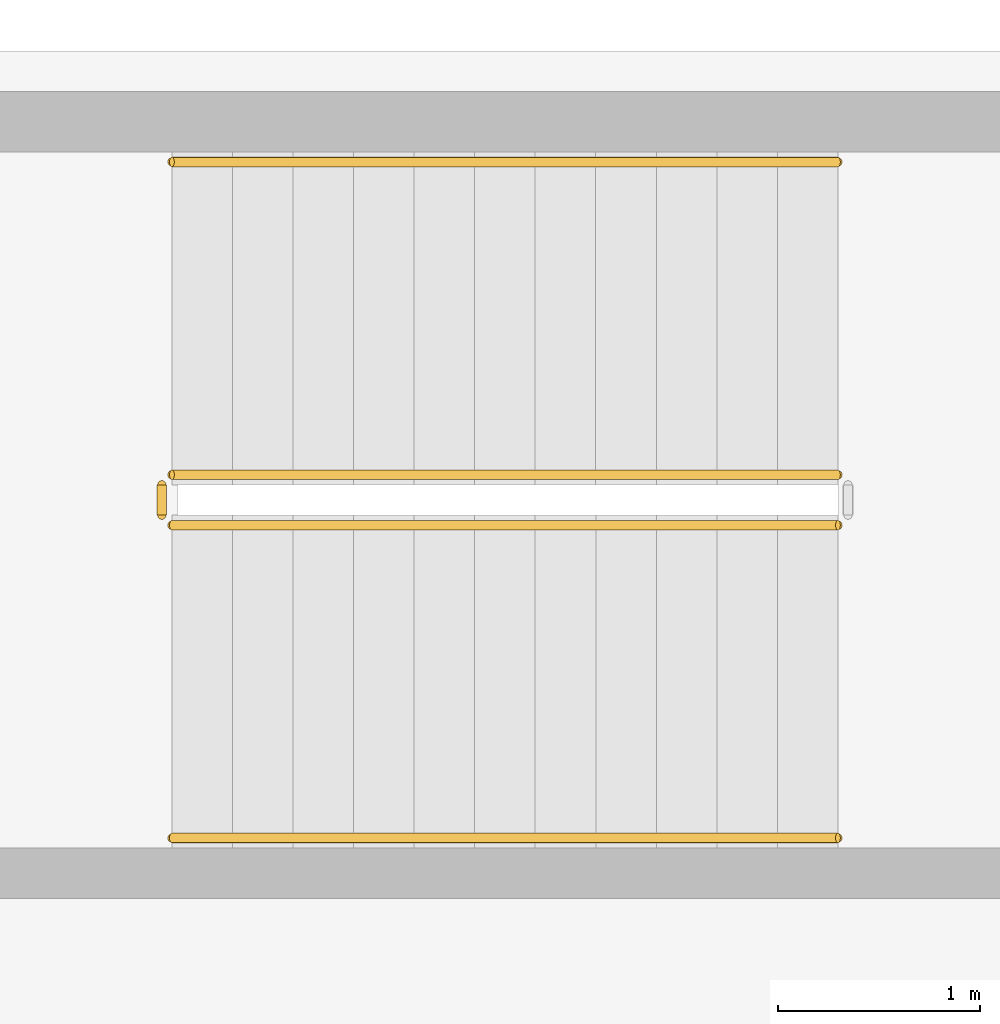
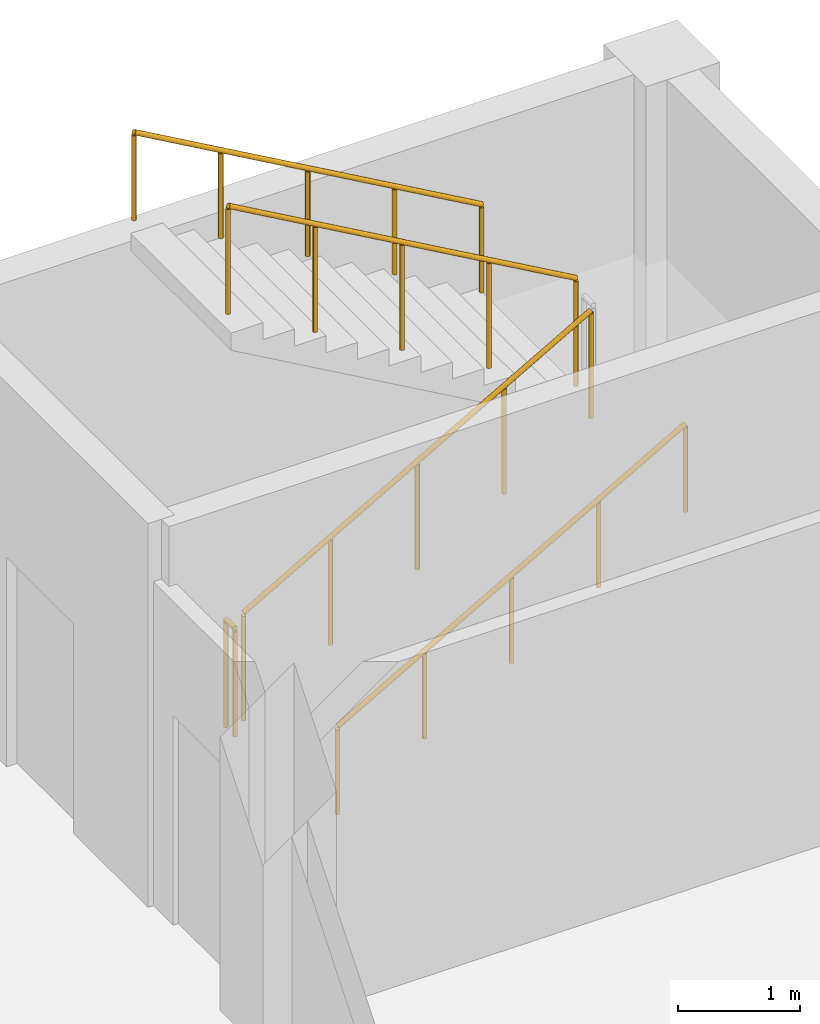
# One storey, part 28 of 31: 5 railings.
"""IFC4 building model written with IfcOpenShell, lengths in metres."""

from ifc_helpers import new_model, si_unit, direction, frame, origin, origin_2d, place, context, subcontext, project, spatial, circle, extrude, material, type_object, element, save


model = new_model("IFC4")

# Units and contexts
model_context = context("Model", 3, precision=1e-05, world=origin(), true_north=direction((0.0, 1.0)))
body_context = subcontext(model_context, "Body", "Model", "MODEL_VIEW")
ifc_project = project(units=[si_unit("LENGTHUNIT", "METRE"), si_unit("AREAUNIT", "SQUARE_METRE"), si_unit("VOLUMEUNIT", "CUBIC_METRE"), si_unit("PLANEANGLEUNIT", "RADIAN"), si_unit("MASSUNIT", "GRAM", prefix="KILO")], contexts=[model_context])

# Site, building, storey
site_placement = place(None, origin())
site = spatial("IfcSite", under=ifc_project, at=site_placement, CompositionType="ELEMENT")
building_placement = place(site_placement, origin())
building = spatial("IfcBuilding", under=site, at=building_placement, Name="Corbel Stack Research Tower", CompositionType="ELEMENT")
storey_placement = place(building_placement, frame((0.0, 0.0, 15.39990234375)))
storey = spatial("IfcBuildingStorey", under=building, at=storey_placement, Name="L03", CompositionType="ELEMENT", Elevation=15.39990234375)

# Railings
ifc_material_1 = material(Name="Steel S235", Category="steel")
railing_type_1 = type_object("IfcRailingType", Name="HR1 guard 1100", PredefinedType="GUARDRAIL", material=ifc_material_1)
railing_1_placement = place(storey_placement, frame((95.47509765625, 21.64990234375, 0.1708984375)))
element("IfcRailing", 1, at=railing_1_placement, inside=storey, type_object=railing_type_1, Name="L03 HS2 stair guard 1", PredefinedType="GUARDRAIL", context=body_context, shape_type="SweptSolid", body=[
    extrude(circle(Radius=0.02392578125, at=origin_2d()), frame((0.0, 0.0, 1.076171875), z_axis=(0.868974139896, 0.0, 0.494857498874), x_axis=(0.0, 1.0, 0.0)), (0.0, 0.0, 1.0), 3.79736328125),
    extrude(circle(Radius=0.02099609375, at=origin_2d()), origin(), (0.0, 0.0, 1.0), 1.052001953125),
    extrude(circle(Radius=0.02099609375, at=origin_2d()), frame((0.824951171875, 0.0, 0.4697265625)), (0.0, 0.0, 1.0), 1.052001953125),
    extrude(circle(Radius=0.02099609375, at=origin_2d()), frame((1.64990234375, 0.0, 0.939453125)), (0.0, 0.0, 1.0), 1.052001953125),
    extrude(circle(Radius=0.02099609375, at=origin_2d()), frame((2.474853515625, 0.0, 1.409423828125)), (0.0, 0.0, 1.0), 1.052001953125),
    extrude(circle(Radius=0.02099609375, at=origin_2d()), frame((3.2998046875, 0.0, 1.879150390625)), (0.0, 0.0, 1.0), 1.052001953125),
])
railing_2_placement = place(storey_placement, frame((98.77490234375, 21.89990234375, 2.220947265625)))
element("IfcRailing", 2, at=railing_2_placement, inside=storey, type_object=railing_type_1, Name="L03 HS2 stair guard 3", PredefinedType="GUARDRAIL", context=body_context, shape_type="SweptSolid", body=[
    extrude(circle(Radius=0.02392578125, at=origin_2d()), frame((0.0, 0.0, 1.076171875), z_axis=(-0.868974139896, 0.0, 0.494857498874), x_axis=(0.0, -1.0, 0.0)), (0.0, 0.0, 1.0), 3.79736328125),
    extrude(circle(Radius=0.02099609375, at=origin_2d()), origin(), (0.0, 0.0, 1.0), 1.052001953125),
    extrude(circle(Radius=0.02099609375, at=origin_2d()), frame((-0.824951171875, 0.0, 0.4697265625)), (0.0, 0.0, 1.0), 1.052001953125),
    extrude(circle(Radius=0.02099609375, at=origin_2d()), frame((-1.64990234375, 0.0, 0.939453125)), (0.0, 0.0, 1.0), 1.052001953125),
    extrude(circle(Radius=0.02099609375, at=origin_2d()), frame((-2.474853515625, 0.0, 1.409423828125)), (0.0, 0.0, 1.0), 1.052001953125),
    extrude(circle(Radius=0.02099609375, at=origin_2d()), frame((-3.2998046875, 0.0, 1.879150390625)), (0.0, 0.0, 1.0), 1.052001953125),
])
railing_3_placement = place(storey_placement, frame((95.425048828125, 21.699951171875, 0.0)))
element("IfcRailing", 3, at=railing_3_placement, inside=storey, type_object=railing_type_1, Name="L03 HS2 stair guard 4", PredefinedType="GUARDRAIL", context=body_context, shape_type="SweptSolid", body=[
    extrude(circle(Radius=0.02392578125, at=origin_2d()), frame((0.0, 0.0, 1.076171875), z_axis=(0.0, 1.0, 0.0), x_axis=(-1.0, 0.0, 0.0)), (0.0, 0.0, 1.0), 0.150146484375),
    extrude(circle(Radius=0.02099609375, at=origin_2d()), origin(), (0.0, 0.0, 1.0), 1.052001953125),
    extrude(circle(Radius=0.02099609375, at=origin_2d()), frame((0.0, 0.150146484375, 0.0)), (0.0, 0.0, 1.0), 1.052001953125),
])
ifc_material_2 = material(Name="Steel S235", Category="steel")
railing_type_2 = type_object("IfcRailingType", Name="HR2 handrail 900", PredefinedType="HANDRAIL", material=ifc_material_2)
railing_4_placement = place(storey_placement, frame((95.47509765625, 20.10009765625, 0.1708984375)))
element("IfcRailing", 4, at=railing_4_placement, inside=storey, type_object=railing_type_2, Name="L03 HS2 stair handrail 1", PredefinedType="HANDRAIL", context=body_context, shape_type="SweptSolid", body=[
    extrude(circle(Radius=0.02392578125, at=origin_2d()), frame((0.0, 0.0, 0.8759765625), z_axis=(0.868974139896, 0.0, 0.494857498874), x_axis=(0.0, 1.0, 0.0)), (0.0, 0.0, 1.0), 3.79736328125),
    extrude(circle(Radius=0.02099609375, at=origin_2d()), origin(), (0.0, 0.0, 1.0), 0.851806640625),
    extrude(circle(Radius=0.02099609375, at=origin_2d()), frame((0.824951171875, 0.0, 0.4697265625)), (0.0, 0.0, 1.0), 0.851806640625),
    extrude(circle(Radius=0.02099609375, at=origin_2d()), frame((1.64990234375, 0.0, 0.939453125)), (0.0, 0.0, 1.0), 0.851806640625),
    extrude(circle(Radius=0.02099609375, at=origin_2d()), frame((2.474853515625, 0.0, 1.409423828125)), (0.0, 0.0, 1.0), 0.851806640625),
    extrude(circle(Radius=0.02099609375, at=origin_2d()), frame((3.2998046875, 0.0, 1.879150390625)), (0.0, 0.0, 1.0), 0.851806640625),
])
railing_5_placement = place(storey_placement, frame((98.77490234375, 23.449951171875, 2.220947265625)))
element("IfcRailing", 5, at=railing_5_placement, inside=storey, type_object=railing_type_2, Name="L03 HS2 stair handrail 2", PredefinedType="HANDRAIL", context=body_context, shape_type="SweptSolid", body=[
    extrude(circle(Radius=0.02392578125, at=origin_2d()), frame((0.0, 0.0, 0.8759765625), z_axis=(-0.868974139896, 0.0, 0.494857498874), x_axis=(0.0, -1.0, 0.0)), (0.0, 0.0, 1.0), 3.79736328125),
    extrude(circle(Radius=0.02099609375, at=origin_2d()), origin(), (0.0, 0.0, 1.0), 0.851806640625),
    extrude(circle(Radius=0.02099609375, at=origin_2d()), frame((-0.824951171875, 0.0, 0.4697265625)), (0.0, 0.0, 1.0), 0.851806640625),
    extrude(circle(Radius=0.02099609375, at=origin_2d()), frame((-1.64990234375, 0.0, 0.939453125)), (0.0, 0.0, 1.0), 0.851806640625),
    extrude(circle(Radius=0.02099609375, at=origin_2d()), frame((-2.474853515625, 0.0, 1.409423828125)), (0.0, 0.0, 1.0), 0.851806640625),
    extrude(circle(Radius=0.02099609375, at=origin_2d()), frame((-3.2998046875, 0.0, 1.879150390625)), (0.0, 0.0, 1.0), 0.851806640625),
])

save(model, "model.ifc")
